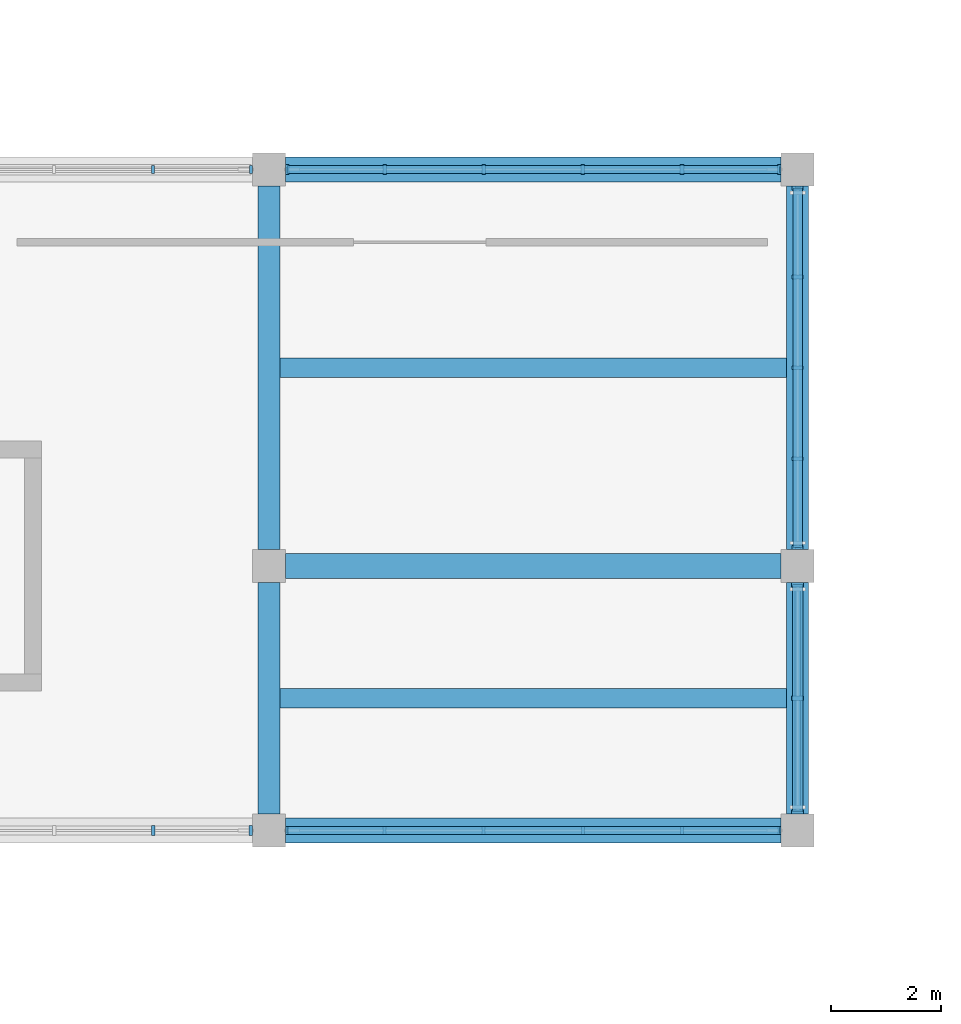
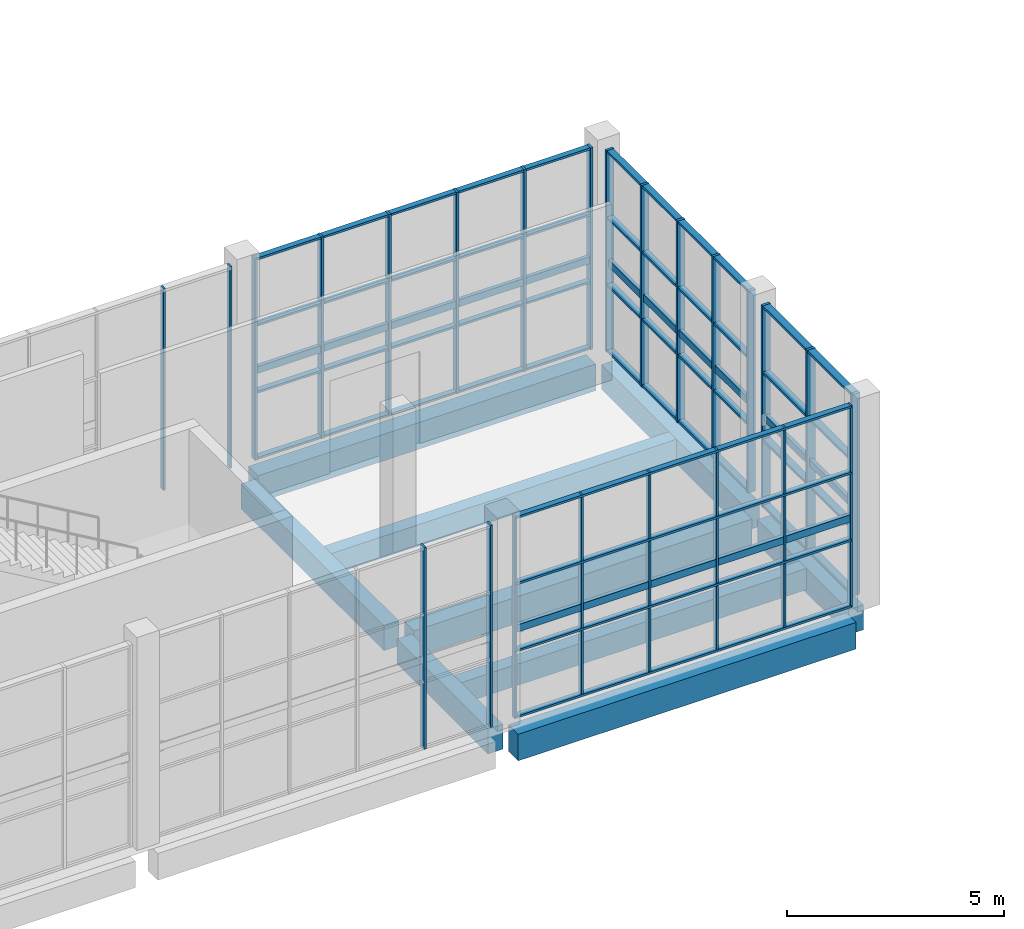
# One storey, part 15 of 84: 44 members, 9 beams, 6 elements without a shape of their own.
"""IFC4 building model written with IfcOpenShell, lengths in metres."""

from ifc_helpers import new_model, si_unit, direction, frame, origin, origin_2d, place, context, subcontext, project, spatial, rectangle, hollow_rectangle, extrude, material, material_profile, profile_set, type_object, element, aggregate, save


model = new_model("IFC4")

# Units and contexts
model_context = context("Model", 3, precision=1e-05, world=origin(), true_north=direction((0.0, 1.0)))
body_context = subcontext(model_context, "Body", "Model", "MODEL_VIEW")
ifc_project = project(units=[si_unit("LENGTHUNIT", "METRE"), si_unit("AREAUNIT", "SQUARE_METRE"), si_unit("VOLUMEUNIT", "CUBIC_METRE"), si_unit("PLANEANGLEUNIT", "RADIAN"), si_unit("MASSUNIT", "GRAM", prefix="KILO")], contexts=[model_context])

# Site, building, storey
site_placement = place(None, origin())
site = spatial("IfcSite", under=ifc_project, at=site_placement, CompositionType="ELEMENT")
building_placement = place(site_placement, origin())
building = spatial("IfcBuilding", under=site, at=building_placement, Name="Shalvenor Court Art Gallery", CompositionType="ELEMENT")
storey_placement = place(building_placement, origin())
storey = spatial("IfcBuildingStorey", under=building, at=storey_placement, Name="L00", CompositionType="ELEMENT", Elevation=0.0)

# Beams
ifc_material_1 = material(Name="Concrete C40/50", Category="concrete")
ifc_material_profile_1 = material_profile(ifc_material_1, rectangle(XDim=0.449951171875, YDim=0.75, at=origin_2d()), Name="RC 450x750")
ifc_profile_set_1 = profile_set([ifc_material_profile_1], Name="Concrete C40/50")
beam_type_1 = type_object("IfcBeamType", Name="B-04", PredefinedType="BEAM", material=ifc_profile_set_1)
for number, where, z_axis, x_axis, name in (
    (1, (67.5, 45.60009765625, -0.715087890625), (1.0, 0.0, 0.0), (0.0, 1.0, 0.0), "L00 Girder BM-L00-B-04-0191"),
    (2, (67.5, 50.39990234375, -0.715087890625), (1.0, 0.0, 0.0), (0.0, 1.0, 0.0), "L00 Girder BM-L00-B-04-0197"),
    (3, (67.5, 57.60009765625, -0.715087890625), (1.0, 0.0, 0.0), (0.0, 1.0, 0.0), "L00 Girder BM-L00-B-04-0205"),
):
    element("IfcBeam", number, at=place(storey_placement, frame(where, z_axis=z_axis, x_axis=x_axis)), inside=storey, type_object=beam_type_1, Name=name, PredefinedType="BEAM", context=body_context, shape_type="SweptSolid", body=[
        extrude(rectangle(XDim=0.449951171875, YDim=0.75, at=origin_2d()), origin(), (0.0, 0.0, 1.0), 9.0),
    ])
ifc_material_2 = material(Name="Concrete C40/50", Category="concrete")
ifc_material_profile_2 = material_profile(ifc_material_2, rectangle(XDim=0.39990234375, YDim=0.699951171875, at=origin_2d()), Name="RC 400x700")
ifc_profile_set_2 = profile_set([ifc_material_profile_2], Name="Concrete C40/50")
beam_type_2 = type_object("IfcBeamType", Name="B-05", PredefinedType="BEAM", material=ifc_profile_set_2)
beam_1_placement = place(storey_placement, frame((67.199951171875, 45.89990234375, -0.68994140625), z_axis=(0.0, 1.0, 0.0), x_axis=(-1.0, 0.0, 0.0)))
element("IfcBeam", 4, at=beam_1_placement, inside=storey, type_object=beam_type_2, Name="L00 Girder BM-L00-B-05-0054", PredefinedType="BEAM", context=body_context, shape_type="SweptSolid", body=[
    extrude(rectangle(XDim=0.39990234375, YDim=0.699951171875, at=origin_2d()), origin(), (0.0, 0.0, 1.0), 4.2001953125),
])
beam_2_placement = place(storey_placement, frame((67.199951171875, 50.699951171875, -0.68994140625), z_axis=(0.0, 1.0, 0.0), x_axis=(-1.0, 0.0, 0.0)))
element("IfcBeam", 5, at=beam_2_placement, inside=storey, type_object=beam_type_2, Name="L00 Girder BM-L00-B-05-0055", PredefinedType="BEAM", context=body_context, shape_type="SweptSolid", body=[
    extrude(rectangle(XDim=0.39990234375, YDim=0.699951171875, at=origin_2d()), origin(), (0.0, 0.0, 1.0), 6.60009765625),
])
beam_3_placement = place(storey_placement, frame((76.800048828125, 45.89990234375, -0.68994140625), z_axis=(0.0, 1.0, 0.0), x_axis=(-1.0, 0.0, 0.0)))
element("IfcBeam", 6, at=beam_3_placement, inside=storey, type_object=beam_type_2, Name="L00 Girder BM-L00-B-05-0058", PredefinedType="BEAM", context=body_context, shape_type="SweptSolid", body=[
    extrude(rectangle(XDim=0.39990234375, YDim=0.699951171875, at=origin_2d()), origin(), (0.0, 0.0, 1.0), 4.2001953125),
])
beam_4_placement = place(storey_placement, frame((76.800048828125, 50.699951171875, -0.68994140625), z_axis=(0.0, 1.0, 0.0), x_axis=(-1.0, 0.0, 0.0)))
element("IfcBeam", 7, at=beam_4_placement, inside=storey, type_object=beam_type_2, Name="L00 Girder BM-L00-B-05-0059", PredefinedType="BEAM", context=body_context, shape_type="SweptSolid", body=[
    extrude(rectangle(XDim=0.39990234375, YDim=0.699951171875, at=origin_2d()), origin(), (0.0, 0.0, 1.0), 6.60009765625),
])

# Curtain wall, members
ifc_material_3 = material(Name="Anodised aluminium and low-iron glass curtain wall", Category="aluminium")
curtain_wall_type_1 = type_object("IfcCurtainWallType", Name="CW-5x3-90-57-116", PredefinedType="USERDEFINED", material=ifc_material_3)
curtain_wall_1_placement = place(storey_placement, origin())
curtain_wall_1 = element("IfcCurtainWall", 8, at=curtain_wall_1_placement, inside=storey, type_object=curtain_wall_type_1, Name="L00 V6 Curtain Wall CW-L00-192", ObjectType="CURTAIN WALL", PredefinedType="USERDEFINED")
ifc_material_4 = material(Name="Anodised aluminium mullion", Category="aluminium")
ifc_material_profile_3 = material_profile(ifc_material_4, rectangle(XDim=0.06494140625, YDim=0.179931640625, at=origin_2d()), Name="CWM-01")
ifc_profile_set_3 = profile_set([ifc_material_profile_3], Name="Anodised aluminium mullion")
member_type_1 = type_object("IfcMemberType", Name="CWM-01", PredefinedType="MULLION", material=ifc_profile_set_3)
member_1_placement = place(storey_placement, frame((67.532470703125, 57.60009765625, 0.0), z_axis=(0.0, 0.0, 1.0), x_axis=(1.0, 0.0, 0.0)))
member_1 = element("IfcMember", 9, at=member_1_placement, type_object=member_type_1, Name="CW-5x3-90-57-116 mullion 1", PredefinedType="MULLION", context=body_context, shape_type="SweptSolid", body=[
    extrude(rectangle(XDim=0.06494140625, YDim=0.179931640625, at=origin_2d()), origin(), (0.0, 0.0, 1.0), 5.679931640625),
])
member_2_placement = place(storey_placement, frame((69.300048828125, 57.60009765625, 0.0), z_axis=(0.0, 0.0, 1.0), x_axis=(1.0, 0.0, 0.0)))
member_2 = element("IfcMember", 10, at=member_2_placement, type_object=member_type_1, Name="CW-5x3-90-57-116 mullion 2", PredefinedType="MULLION", context=body_context, shape_type="SweptSolid", body=[
    extrude(rectangle(XDim=0.06494140625, YDim=0.179931640625, at=origin_2d()), origin(), (0.0, 0.0, 1.0), 5.679931640625),
])
member_3_placement = place(storey_placement, frame((71.10009765625, 57.60009765625, 0.0), z_axis=(0.0, 0.0, 1.0), x_axis=(1.0, 0.0, 0.0)))
member_3 = element("IfcMember", 11, at=member_3_placement, type_object=member_type_1, Name="CW-5x3-90-57-116 mullion 3", PredefinedType="MULLION", context=body_context, shape_type="SweptSolid", body=[
    extrude(rectangle(XDim=0.06494140625, YDim=0.179931640625, at=origin_2d()), origin(), (0.0, 0.0, 1.0), 5.679931640625),
])
member_4_placement = place(storey_placement, frame((72.89990234375, 57.60009765625, 0.0), z_axis=(0.0, 0.0, 1.0), x_axis=(1.0, 0.0, 0.0)))
member_4 = element("IfcMember", 12, at=member_4_placement, type_object=member_type_1, Name="CW-5x3-90-57-116 mullion 4", PredefinedType="MULLION", context=body_context, shape_type="SweptSolid", body=[
    extrude(rectangle(XDim=0.06494140625, YDim=0.179931640625, at=origin_2d()), origin(), (0.0, 0.0, 1.0), 5.679931640625),
])
member_5_placement = place(storey_placement, frame((74.699951171875, 57.60009765625, 0.0), z_axis=(0.0, 0.0, 1.0), x_axis=(1.0, 0.0, 0.0)))
member_5 = element("IfcMember", 13, at=member_5_placement, type_object=member_type_1, Name="CW-5x3-90-57-116 mullion 5", PredefinedType="MULLION", context=body_context, shape_type="SweptSolid", body=[
    extrude(rectangle(XDim=0.06494140625, YDim=0.179931640625, at=origin_2d()), origin(), (0.0, 0.0, 1.0), 5.679931640625),
])
member_6_placement = place(storey_placement, frame((76.467529296875, 57.60009765625, 0.0), z_axis=(0.0, 0.0, 1.0), x_axis=(1.0, 0.0, 0.0)))
member_6 = element("IfcMember", 14, at=member_6_placement, type_object=member_type_1, Name="CW-5x3-90-57-116 mullion 6", PredefinedType="MULLION", context=body_context, shape_type="SweptSolid", body=[
    extrude(rectangle(XDim=0.06494140625, YDim=0.179931640625, at=origin_2d()), origin(), (0.0, 0.0, 1.0), 5.679931640625),
])

ifc_material_5 = material(Name="Anodised aluminium and low-iron glass curtain wall", Category="aluminium")
curtain_wall_type_2 = type_object("IfcCurtainWallType", Name="CW-5x3-90-57-126", PredefinedType="USERDEFINED", material=ifc_material_5)
curtain_wall_2_placement = place(storey_placement, origin())
curtain_wall_2 = element("IfcCurtainWall", 15, at=curtain_wall_2_placement, inside=storey, type_object=curtain_wall_type_2, Name="L00 V6 Curtain Wall CW-L00-196", ObjectType="CURTAIN WALL", PredefinedType="USERDEFINED")
member_7_placement = place(storey_placement, frame((66.867431640625, 45.60009765625, 0.0), z_axis=(0.0, 0.0, 1.0), x_axis=(-1.0, 0.0, 0.0)))
member_7 = element("IfcMember", 16, at=member_7_placement, type_object=member_type_1, Name="CW-5x3-90-57-126 mullion 1", PredefinedType="MULLION", context=body_context, shape_type="SweptSolid", body=[
    extrude(rectangle(XDim=0.06494140625, YDim=0.179931640625, at=origin_2d()), origin(), (0.0, 0.0, 1.0), 5.679931640625),
])
member_8_placement = place(storey_placement, frame((65.10009765625, 45.60009765625, 0.0), z_axis=(0.0, 0.0, 1.0), x_axis=(-1.0, 0.0, 0.0)))
member_8 = element("IfcMember", 17, at=member_8_placement, type_object=member_type_1, Name="CW-5x3-90-57-126 mullion 2", PredefinedType="MULLION", context=body_context, shape_type="SweptSolid", body=[
    extrude(rectangle(XDim=0.06494140625, YDim=0.179931640625, at=origin_2d()), origin(), (0.0, 0.0, 1.0), 5.679931640625),
])
aggregate(curtain_wall_2, [member_7, member_8])

ifc_material_6 = material(Name="Anodised aluminium and low-iron glass curtain wall", Category="aluminium")
curtain_wall_type_3 = type_object("IfcCurtainWallType", Name="CW-4x3-66-57-226", PredefinedType="USERDEFINED", material=ifc_material_6)
curtain_wall_3_placement = place(storey_placement, origin())
curtain_wall_3 = element("IfcCurtainWall", 18, at=curtain_wall_3_placement, inside=storey, type_object=curtain_wall_type_3, Name="L00 V6 Curtain Wall CW-L00-193", ObjectType="CURTAIN WALL", PredefinedType="USERDEFINED")
ifc_material_7 = material(Name="Anodised aluminium mullion", Category="aluminium")
ifc_material_profile_4 = material_profile(ifc_material_7, rectangle(XDim=0.070068359375, YDim=0.199951171875, at=origin_2d()), Name="CWM-02")
ifc_profile_set_4 = profile_set([ifc_material_profile_4], Name="Anodised aluminium mullion")
member_type_2 = type_object("IfcMemberType", Name="CWM-02", PredefinedType="MULLION", material=ifc_profile_set_4)
member_9_placement = place(storey_placement, frame((76.800048828125, 57.264892578125, 0.0), z_axis=(0.0, 0.0, 1.0), x_axis=(0.0, -1.0, 0.0)))
member_9 = element("IfcMember", 19, at=member_9_placement, type_object=member_type_2, Name="CW-4x3-66-57-226 mullion 1", PredefinedType="MULLION", context=body_context, shape_type="SweptSolid", body=[
    extrude(rectangle(XDim=0.070068359375, YDim=0.199951171875, at=origin_2d()), origin(), (0.0, 0.0, 1.0), 5.679931640625),
])
member_10_placement = place(storey_placement, frame((76.800048828125, 55.64990234375, 0.0), z_axis=(0.0, 0.0, 1.0), x_axis=(0.0, -1.0, 0.0)))
member_10 = element("IfcMember", 20, at=member_10_placement, type_object=member_type_2, Name="CW-4x3-66-57-226 mullion 2", PredefinedType="MULLION", context=body_context, shape_type="SweptSolid", body=[
    extrude(rectangle(XDim=0.070068359375, YDim=0.199951171875, at=origin_2d()), origin(), (0.0, 0.0, 1.0), 5.679931640625),
])
member_11_placement = place(storey_placement, frame((76.800048828125, 54.0, 0.0), z_axis=(0.0, 0.0, 1.0), x_axis=(0.0, -1.0, 0.0)))
member_11 = element("IfcMember", 21, at=member_11_placement, type_object=member_type_2, Name="CW-4x3-66-57-226 mullion 3", PredefinedType="MULLION", context=body_context, shape_type="SweptSolid", body=[
    extrude(rectangle(XDim=0.070068359375, YDim=0.199951171875, at=origin_2d()), origin(), (0.0, 0.0, 1.0), 5.679931640625),
])
member_12_placement = place(storey_placement, frame((76.800048828125, 52.35009765625, 0.0), z_axis=(0.0, 0.0, 1.0), x_axis=(0.0, -1.0, 0.0)))
member_12 = element("IfcMember", 22, at=member_12_placement, type_object=member_type_2, Name="CW-4x3-66-57-226 mullion 4", PredefinedType="MULLION", context=body_context, shape_type="SweptSolid", body=[
    extrude(rectangle(XDim=0.070068359375, YDim=0.199951171875, at=origin_2d()), origin(), (0.0, 0.0, 1.0), 5.679931640625),
])
member_13_placement = place(storey_placement, frame((76.800048828125, 50.735107421875, 0.0), z_axis=(0.0, 0.0, 1.0), x_axis=(0.0, -1.0, 0.0)))
member_13 = element("IfcMember", 23, at=member_13_placement, type_object=member_type_2, Name="CW-4x3-66-57-226 mullion 5", PredefinedType="MULLION", context=body_context, shape_type="SweptSolid", body=[
    extrude(rectangle(XDim=0.070068359375, YDim=0.199951171875, at=origin_2d()), origin(), (0.0, 0.0, 1.0), 5.679931640625),
])

ifc_material_8 = material(Name="Anodised aluminium and low-iron glass curtain wall", Category="aluminium")
curtain_wall_type_4 = type_object("IfcCurtainWallType", Name="CW-2x3-42-57-446", PredefinedType="USERDEFINED", material=ifc_material_8)
curtain_wall_4_placement = place(storey_placement, origin())
curtain_wall_4 = element("IfcCurtainWall", 24, at=curtain_wall_4_placement, inside=storey, type_object=curtain_wall_type_4, Name="L00 V6 Curtain Wall CW-L00-194", ObjectType="CURTAIN WALL", PredefinedType="USERDEFINED")
ifc_material_9 = material(Name="Anodised aluminium mullion", Category="aluminium")
ifc_material_profile_5 = material_profile(ifc_material_9, rectangle(XDim=0.074951171875, YDim=0.219970703125, at=origin_2d()), Name="CWM-04")
ifc_profile_set_5 = profile_set([ifc_material_profile_5], Name="Anodised aluminium mullion")
member_type_3 = type_object("IfcMemberType", Name="CWM-04", PredefinedType="MULLION", material=ifc_profile_set_5)
member_14_placement = place(storey_placement, frame((76.800048828125, 50.0625, 0.0), z_axis=(0.0, 0.0, 1.0), x_axis=(0.0, -1.0, 0.0)))
member_14 = element("IfcMember", 25, at=member_14_placement, type_object=member_type_3, Name="CW-2x3-42-57-446 mullion 1", PredefinedType="MULLION", context=body_context, shape_type="SweptSolid", body=[
    extrude(rectangle(XDim=0.074951171875, YDim=0.219970703125, at=origin_2d()), origin(), (0.0, 0.0, 1.0), 5.679931640625),
])
member_15_placement = place(storey_placement, frame((76.800048828125, 48.0, 0.0), z_axis=(0.0, 0.0, 1.0), x_axis=(0.0, -1.0, 0.0)))
member_15 = element("IfcMember", 26, at=member_15_placement, type_object=member_type_3, Name="CW-2x3-42-57-446 mullion 2", PredefinedType="MULLION", context=body_context, shape_type="SweptSolid", body=[
    extrude(rectangle(XDim=0.074951171875, YDim=0.219970703125, at=origin_2d()), origin(), (0.0, 0.0, 1.0), 5.679931640625),
])
member_16_placement = place(storey_placement, frame((76.800048828125, 45.9375, 0.0), z_axis=(0.0, 0.0, 1.0), x_axis=(0.0, -1.0, 0.0)))
member_16 = element("IfcMember", 27, at=member_16_placement, type_object=member_type_3, Name="CW-2x3-42-57-446 mullion 3", PredefinedType="MULLION", context=body_context, shape_type="SweptSolid", body=[
    extrude(rectangle(XDim=0.074951171875, YDim=0.219970703125, at=origin_2d()), origin(), (0.0, 0.0, 1.0), 5.679931640625),
])

ifc_material_10 = material(Name="Anodised aluminium and low-iron glass curtain wall", Category="aluminium")
curtain_wall_type_5 = type_object("IfcCurtainWallType", Name="CW-5x3-90-57-646", PredefinedType="USERDEFINED", material=ifc_material_10)
curtain_wall_5_placement = place(storey_placement, origin())
curtain_wall_5 = element("IfcCurtainWall", 28, at=curtain_wall_5_placement, inside=storey, type_object=curtain_wall_type_5, Name="L00 V6 Curtain Wall CW-L00-191", ObjectType="CURTAIN WALL", PredefinedType="USERDEFINED")
ifc_material_11 = material(Name="Anodised aluminium mullion", Category="aluminium")
ifc_material_profile_6 = material_profile(ifc_material_11, rectangle(XDim=0.054931640625, YDim=0.139892578125, at=origin_2d()), Name="CWM-06")
ifc_profile_set_6 = profile_set([ifc_material_profile_6], Name="Anodised aluminium mullion")
member_type_4 = type_object("IfcMemberType", Name="CWM-06", PredefinedType="MULLION", material=ifc_profile_set_6)
member_17_placement = place(storey_placement, frame((65.10009765625, 57.60009765625, 0.0), z_axis=(0.0, 0.0, 1.0), x_axis=(1.0, 0.0, 0.0)))
member_17 = element("IfcMember", 29, at=member_17_placement, type_object=member_type_4, Name="CW-5x3-90-57-646 mullion 5", PredefinedType="MULLION", context=body_context, shape_type="SweptSolid", body=[
    extrude(rectangle(XDim=0.054931640625, YDim=0.139892578125, at=origin_2d()), origin(), (0.0, 0.0, 1.0), 5.679931640625),
])
member_18_placement = place(storey_placement, frame((66.87255859375, 57.60009765625, 0.0), z_axis=(0.0, 0.0, 1.0), x_axis=(1.0, 0.0, 0.0)))
member_18 = element("IfcMember", 30, at=member_18_placement, type_object=member_type_4, Name="CW-5x3-90-57-646 mullion 6", PredefinedType="MULLION", context=body_context, shape_type="SweptSolid", body=[
    extrude(rectangle(XDim=0.054931640625, YDim=0.139892578125, at=origin_2d()), origin(), (0.0, 0.0, 1.0), 5.679931640625),
])
aggregate(curtain_wall_5, [member_17, member_18])

ifc_material_12 = material(Name="Anodised aluminium and low-iron glass curtain wall", Category="aluminium")
curtain_wall_type_6 = type_object("IfcCurtainWallType", Name="CW-5x3-90-57-616", PredefinedType="USERDEFINED", material=ifc_material_12)
curtain_wall_6_placement = place(storey_placement, origin())
curtain_wall_6 = element("IfcCurtainWall", 31, at=curtain_wall_6_placement, inside=storey, type_object=curtain_wall_type_6, Name="L00 V6 Curtain Wall CW-L00-195", ObjectType="CURTAIN WALL", PredefinedType="USERDEFINED")
member_19_placement = place(storey_placement, frame((76.472412109375, 45.60009765625, 0.0), z_axis=(0.0, 0.0, 1.0), x_axis=(-1.0, 0.0, 0.0)))
member_19 = element("IfcMember", 32, at=member_19_placement, type_object=member_type_4, Name="CW-5x3-90-57-616 mullion 1", PredefinedType="MULLION", context=body_context, shape_type="SweptSolid", body=[
    extrude(rectangle(XDim=0.054931640625, YDim=0.139892578125, at=origin_2d()), origin(), (0.0, 0.0, 1.0), 5.679931640625),
])
member_20_placement = place(storey_placement, frame((74.699951171875, 45.60009765625, 0.0), z_axis=(0.0, 0.0, 1.0), x_axis=(-1.0, 0.0, 0.0)))
member_20 = element("IfcMember", 33, at=member_20_placement, type_object=member_type_4, Name="CW-5x3-90-57-616 mullion 2", PredefinedType="MULLION", context=body_context, shape_type="SweptSolid", body=[
    extrude(rectangle(XDim=0.054931640625, YDim=0.139892578125, at=origin_2d()), origin(), (0.0, 0.0, 1.0), 5.679931640625),
])
member_21_placement = place(storey_placement, frame((72.89990234375, 45.60009765625, 0.0), z_axis=(0.0, 0.0, 1.0), x_axis=(-1.0, 0.0, 0.0)))
member_21 = element("IfcMember", 34, at=member_21_placement, type_object=member_type_4, Name="CW-5x3-90-57-616 mullion 3", PredefinedType="MULLION", context=body_context, shape_type="SweptSolid", body=[
    extrude(rectangle(XDim=0.054931640625, YDim=0.139892578125, at=origin_2d()), origin(), (0.0, 0.0, 1.0), 5.679931640625),
])
member_22_placement = place(storey_placement, frame((71.10009765625, 45.60009765625, 0.0), z_axis=(0.0, 0.0, 1.0), x_axis=(-1.0, 0.0, 0.0)))
member_22 = element("IfcMember", 35, at=member_22_placement, type_object=member_type_4, Name="CW-5x3-90-57-616 mullion 4", PredefinedType="MULLION", context=body_context, shape_type="SweptSolid", body=[
    extrude(rectangle(XDim=0.054931640625, YDim=0.139892578125, at=origin_2d()), origin(), (0.0, 0.0, 1.0), 5.679931640625),
])
member_23_placement = place(storey_placement, frame((69.300048828125, 45.60009765625, 0.0), z_axis=(0.0, 0.0, 1.0), x_axis=(-1.0, 0.0, 0.0)))
member_23 = element("IfcMember", 36, at=member_23_placement, type_object=member_type_4, Name="CW-5x3-90-57-616 mullion 5", PredefinedType="MULLION", context=body_context, shape_type="SweptSolid", body=[
    extrude(rectangle(XDim=0.054931640625, YDim=0.139892578125, at=origin_2d()), origin(), (0.0, 0.0, 1.0), 5.679931640625),
])
member_24_placement = place(storey_placement, frame((67.527587890625, 45.60009765625, 0.0), z_axis=(0.0, 0.0, 1.0), x_axis=(-1.0, 0.0, 0.0)))
member_24 = element("IfcMember", 37, at=member_24_placement, type_object=member_type_4, Name="CW-5x3-90-57-616 mullion 6", PredefinedType="MULLION", context=body_context, shape_type="SweptSolid", body=[
    extrude(rectangle(XDim=0.054931640625, YDim=0.139892578125, at=origin_2d()), origin(), (0.0, 0.0, 1.0), 5.679931640625),
])

# Member
ifc_material_13 = material(Name="Anodised aluminium transom", Category="aluminium")
ifc_material_profile_7 = material_profile(ifc_material_13, rectangle(XDim=0.14990234375, YDim=0.06005859375, at=origin_2d()), Name="CWT-01")
ifc_profile_set_7 = profile_set([ifc_material_profile_7], Name="Anodised aluminium transom")
member_type_5 = type_object("IfcMemberType", Name="CWT-01", PredefinedType="USERDEFINED", material=ifc_profile_set_7)
member_25_placement = place(storey_placement, frame((67.532470703125, 57.60009765625, 0.030029296875), z_axis=(1.0, 0.0, 0.0), x_axis=(0.0, 1.0, 0.0)))
member_25 = element("IfcMember", 38, at=member_25_placement, type_object=member_type_5, Name="CW-5x3-90-57-116 transom 1", ObjectType="TRANSOM", PredefinedType="USERDEFINED", context=body_context, shape_type="SweptSolid", body=[
    extrude(rectangle(XDim=0.14990234375, YDim=0.06005859375, at=origin_2d()), origin(), (0.0, 0.0, 1.0), 8.93505859375),
])

member_26_placement = place(storey_placement, frame((67.532470703125, 57.60009765625, 1.893310546875), z_axis=(1.0, 0.0, 0.0), x_axis=(0.0, 1.0, 0.0)))
member_26 = element("IfcMember", 39, at=member_26_placement, type_object=member_type_5, Name="CW-5x3-90-57-116 transom 2", ObjectType="TRANSOM", PredefinedType="USERDEFINED", context=body_context, shape_type="SweptSolid", body=[
    extrude(rectangle(XDim=0.14990234375, YDim=0.06005859375, at=origin_2d()), origin(), (0.0, 0.0, 1.0), 8.93505859375),
])

member_27_placement = place(storey_placement, frame((67.532470703125, 57.60009765625, 3.78662109375), z_axis=(1.0, 0.0, 0.0), x_axis=(0.0, 1.0, 0.0)))
member_27 = element("IfcMember", 40, at=member_27_placement, type_object=member_type_5, Name="CW-5x3-90-57-116 transom 3", ObjectType="TRANSOM", PredefinedType="USERDEFINED", context=body_context, shape_type="SweptSolid", body=[
    extrude(rectangle(XDim=0.14990234375, YDim=0.06005859375, at=origin_2d()), origin(), (0.0, 0.0, 1.0), 8.93505859375),
])

member_28_placement = place(storey_placement, frame((67.532470703125, 57.60009765625, 5.64990234375), z_axis=(1.0, 0.0, 0.0), x_axis=(0.0, 1.0, 0.0)))
member_28 = element("IfcMember", 41, at=member_28_placement, type_object=member_type_5, Name="CW-5x3-90-57-116 transom 4", ObjectType="TRANSOM", PredefinedType="USERDEFINED", context=body_context, shape_type="SweptSolid", body=[
    extrude(rectangle(XDim=0.14990234375, YDim=0.06005859375, at=origin_2d()), origin(), (0.0, 0.0, 1.0), 8.93505859375),
])

aggregate(curtain_wall_1, [member_1, member_2, member_3, member_4, member_5, member_6, member_25, member_26, member_27, member_28])

member_29_placement = place(storey_placement, frame((76.472412109375, 45.60009765625, 0.030029296875), z_axis=(-1.0, 0.0, 0.0), x_axis=(0.0, -1.0, 0.0)))
member_29 = element("IfcMember", 42, at=member_29_placement, type_object=member_type_5, Name="CW-5x3-90-57-616 transom 1", ObjectType="TRANSOM", PredefinedType="USERDEFINED", context=body_context, shape_type="SweptSolid", body=[
    extrude(rectangle(XDim=0.14990234375, YDim=0.06005859375, at=origin_2d()), origin(), (0.0, 0.0, 1.0), 8.94482421875),
])

member_30_placement = place(storey_placement, frame((76.472412109375, 45.60009765625, 1.893310546875), z_axis=(-1.0, 0.0, 0.0), x_axis=(0.0, -1.0, 0.0)))
member_30 = element("IfcMember", 43, at=member_30_placement, type_object=member_type_5, Name="CW-5x3-90-57-616 transom 2", ObjectType="TRANSOM", PredefinedType="USERDEFINED", context=body_context, shape_type="SweptSolid", body=[
    extrude(rectangle(XDim=0.14990234375, YDim=0.06005859375, at=origin_2d()), origin(), (0.0, 0.0, 1.0), 8.94482421875),
])

member_31_placement = place(storey_placement, frame((76.472412109375, 45.60009765625, 3.78662109375), z_axis=(-1.0, 0.0, 0.0), x_axis=(0.0, -1.0, 0.0)))
member_31 = element("IfcMember", 44, at=member_31_placement, type_object=member_type_5, Name="CW-5x3-90-57-616 transom 3", ObjectType="TRANSOM", PredefinedType="USERDEFINED", context=body_context, shape_type="SweptSolid", body=[
    extrude(rectangle(XDim=0.14990234375, YDim=0.06005859375, at=origin_2d()), origin(), (0.0, 0.0, 1.0), 8.94482421875),
])

member_32_placement = place(storey_placement, frame((76.472412109375, 45.60009765625, 5.64990234375), z_axis=(-1.0, 0.0, 0.0), x_axis=(0.0, -1.0, 0.0)))
member_32 = element("IfcMember", 45, at=member_32_placement, type_object=member_type_5, Name="CW-5x3-90-57-616 transom 4", ObjectType="TRANSOM", PredefinedType="USERDEFINED", context=body_context, shape_type="SweptSolid", body=[
    extrude(rectangle(XDim=0.14990234375, YDim=0.06005859375, at=origin_2d()), origin(), (0.0, 0.0, 1.0), 8.94482421875),
])

aggregate(curtain_wall_6, [member_19, member_20, member_21, member_22, member_23, member_24, member_29, member_30, member_31, member_32])

ifc_material_14 = material(Name="Anodised aluminium transom", Category="aluminium")
ifc_material_profile_8 = material_profile(ifc_material_14, rectangle(XDim=0.169921875, YDim=0.06494140625, at=origin_2d()), Name="CWT-02")
ifc_profile_set_8 = profile_set([ifc_material_profile_8], Name="Anodised aluminium transom")
member_type_6 = type_object("IfcMemberType", Name="CWT-02", PredefinedType="USERDEFINED", material=ifc_profile_set_8)
member_33_placement = place(storey_placement, frame((76.800048828125, 57.264892578125, 0.032470703125), z_axis=(0.0, -1.0, 0.0), x_axis=(1.0, 0.0, 0.0)))
member_33 = element("IfcMember", 46, at=member_33_placement, type_object=member_type_6, Name="CW-4x3-66-57-226 transom 1", ObjectType="TRANSOM", PredefinedType="USERDEFINED", context=body_context, shape_type="SweptSolid", body=[
    extrude(rectangle(XDim=0.169921875, YDim=0.06494140625, at=origin_2d()), origin(), (0.0, 0.0, 1.0), 6.52978515625),
])

member_34_placement = place(storey_placement, frame((76.800048828125, 57.264892578125, 1.893310546875), z_axis=(0.0, -1.0, 0.0), x_axis=(1.0, 0.0, 0.0)))
member_34 = element("IfcMember", 47, at=member_34_placement, type_object=member_type_6, Name="CW-4x3-66-57-226 transom 2", ObjectType="TRANSOM", PredefinedType="USERDEFINED", context=body_context, shape_type="SweptSolid", body=[
    extrude(rectangle(XDim=0.169921875, YDim=0.06494140625, at=origin_2d()), origin(), (0.0, 0.0, 1.0), 6.52978515625),
])

member_35_placement = place(storey_placement, frame((76.800048828125, 57.264892578125, 3.78662109375), z_axis=(0.0, -1.0, 0.0), x_axis=(1.0, 0.0, 0.0)))
member_35 = element("IfcMember", 48, at=member_35_placement, type_object=member_type_6, Name="CW-4x3-66-57-226 transom 3", ObjectType="TRANSOM", PredefinedType="USERDEFINED", context=body_context, shape_type="SweptSolid", body=[
    extrude(rectangle(XDim=0.169921875, YDim=0.06494140625, at=origin_2d()), origin(), (0.0, 0.0, 1.0), 6.52978515625),
])

member_36_placement = place(storey_placement, frame((76.800048828125, 57.264892578125, 5.6474609375), z_axis=(0.0, -1.0, 0.0), x_axis=(1.0, 0.0, 0.0)))
member_36 = element("IfcMember", 49, at=member_36_placement, type_object=member_type_6, Name="CW-4x3-66-57-226 transom 4", ObjectType="TRANSOM", PredefinedType="USERDEFINED", context=body_context, shape_type="SweptSolid", body=[
    extrude(rectangle(XDim=0.169921875, YDim=0.06494140625, at=origin_2d()), origin(), (0.0, 0.0, 1.0), 6.52978515625),
])

aggregate(curtain_wall_3, [member_9, member_10, member_11, member_12, member_13, member_33, member_34, member_35, member_36])

ifc_material_15 = material(Name="Anodised aluminium transom", Category="aluminium")
ifc_material_profile_9 = material_profile(ifc_material_15, rectangle(XDim=0.18994140625, YDim=0.070068359375, at=origin_2d()), Name="CWT-04")
ifc_profile_set_9 = profile_set([ifc_material_profile_9], Name="Anodised aluminium transom")
member_type_7 = type_object("IfcMemberType", Name="CWT-04", PredefinedType="USERDEFINED", material=ifc_profile_set_9)
member_37_placement = place(storey_placement, frame((76.800048828125, 50.0625, 0.034912109375), z_axis=(0.0, -1.0, 0.0), x_axis=(1.0, 0.0, 0.0)))
member_37 = element("IfcMember", 50, at=member_37_placement, type_object=member_type_7, Name="CW-2x3-42-57-446 transom 1", ObjectType="TRANSOM", PredefinedType="USERDEFINED", context=body_context, shape_type="SweptSolid", body=[
    extrude(rectangle(XDim=0.18994140625, YDim=0.070068359375, at=origin_2d()), origin(), (0.0, 0.0, 1.0), 4.125),
])

member_38_placement = place(storey_placement, frame((76.800048828125, 50.0625, 1.893310546875), z_axis=(0.0, -1.0, 0.0), x_axis=(1.0, 0.0, 0.0)))
member_38 = element("IfcMember", 51, at=member_38_placement, type_object=member_type_7, Name="CW-2x3-42-57-446 transom 2", ObjectType="TRANSOM", PredefinedType="USERDEFINED", context=body_context, shape_type="SweptSolid", body=[
    extrude(rectangle(XDim=0.18994140625, YDim=0.070068359375, at=origin_2d()), origin(), (0.0, 0.0, 1.0), 4.125),
])

member_39_placement = place(storey_placement, frame((76.800048828125, 50.0625, 3.78662109375), z_axis=(0.0, -1.0, 0.0), x_axis=(1.0, 0.0, 0.0)))
member_39 = element("IfcMember", 52, at=member_39_placement, type_object=member_type_7, Name="CW-2x3-42-57-446 transom 3", ObjectType="TRANSOM", PredefinedType="USERDEFINED", context=body_context, shape_type="SweptSolid", body=[
    extrude(rectangle(XDim=0.18994140625, YDim=0.070068359375, at=origin_2d()), origin(), (0.0, 0.0, 1.0), 4.125),
])

member_40_placement = place(storey_placement, frame((76.800048828125, 50.0625, 5.64501953125), z_axis=(0.0, -1.0, 0.0), x_axis=(1.0, 0.0, 0.0)))
member_40 = element("IfcMember", 53, at=member_40_placement, type_object=member_type_7, Name="CW-2x3-42-57-446 transom 4", ObjectType="TRANSOM", PredefinedType="USERDEFINED", context=body_context, shape_type="SweptSolid", body=[
    extrude(rectangle(XDim=0.18994140625, YDim=0.070068359375, at=origin_2d()), origin(), (0.0, 0.0, 1.0), 4.125),
])

aggregate(curtain_wall_4, [member_14, member_15, member_16, member_37, member_38, member_39, member_40])

# Members
ifc_material_16 = material(Name="Steel S355", Category="steel")
ifc_material_profile_10 = material_profile(ifc_material_16, hollow_rectangle(XDim=0.10009765625, YDim=0.199951171875, WallThickness=0.008056640625, at=origin_2d()), Name="RHS 200x100x8.0")
ifc_profile_set_10 = profile_set([ifc_material_profile_10], Name="Steel S355")
member_type_8 = type_object("IfcMemberType", Name="FR-01", PredefinedType="MEMBER", material=ifc_profile_set_10)
member_41_placement = place(storey_placement, frame((67.5, 57.60009765625, 2.5), z_axis=(1.0, 0.0, 0.0), x_axis=(0.0, 1.0, 0.0)))
element("IfcMember", 54, at=member_41_placement, inside=storey, type_object=member_type_8, Name="L00 Cloister Canopy Rail 192", PredefinedType="MEMBER", context=body_context, shape_type="SweptSolid", body=[
    extrude(hollow_rectangle(XDim=0.10009765625, YDim=0.199951171875, WallThickness=0.008056640625, at=origin_2d()), origin(), (0.0, 0.0, 1.0), 9.0),
])
member_42_placement = place(storey_placement, frame((76.800048828125, 57.300048828125, 2.5), z_axis=(0.0, -1.0, 0.0), x_axis=(1.0, 0.0, 0.0)))
element("IfcMember", 55, at=member_42_placement, inside=storey, type_object=member_type_8, Name="L00 Cloister Canopy Rail 193", PredefinedType="MEMBER", context=body_context, shape_type="SweptSolid", body=[
    extrude(hollow_rectangle(XDim=0.10009765625, YDim=0.199951171875, WallThickness=0.008056640625, at=origin_2d()), origin(), (0.0, 0.0, 1.0), 6.60009765625),
])
member_43_placement = place(storey_placement, frame((76.800048828125, 50.10009765625, 2.5), z_axis=(0.0, -1.0, 0.0), x_axis=(1.0, 0.0, 0.0)))
element("IfcMember", 56, at=member_43_placement, inside=storey, type_object=member_type_8, Name="L00 Cloister Canopy Rail 194", PredefinedType="MEMBER", context=body_context, shape_type="SweptSolid", body=[
    extrude(hollow_rectangle(XDim=0.10009765625, YDim=0.199951171875, WallThickness=0.008056640625, at=origin_2d()), origin(), (0.0, 0.0, 1.0), 4.2001953125),
])
member_44_placement = place(storey_placement, frame((76.5, 45.60009765625, 2.5), z_axis=(-1.0, 0.0, 0.0), x_axis=(0.0, -1.0, 0.0)))
element("IfcMember", 57, at=member_44_placement, inside=storey, type_object=member_type_8, Name="L00 Cloister Canopy Rail 195", PredefinedType="MEMBER", context=body_context, shape_type="SweptSolid", body=[
    extrude(hollow_rectangle(XDim=0.10009765625, YDim=0.199951171875, WallThickness=0.008056640625, at=origin_2d()), origin(), (0.0, 0.0, 1.0), 9.0),
])

# Beams
ifc_material_17 = material(Name="Concrete C40/50", Category="concrete")
ifc_material_profile_11 = material_profile(ifc_material_17, rectangle(XDim=0.35009765625, YDim=0.60009765625, at=origin_2d()), Name="RC 350x600")
ifc_profile_set_11 = profile_set([ifc_material_profile_11], Name="Concrete C40/50")
beam_type_3 = type_object("IfcBeamType", Name="J-01", PredefinedType="JOIST", material=ifc_profile_set_11)
for number, where, z_axis, x_axis, name in (
    (58, (67.39990234375, 48.0, -0.639892578125), (1.0, 0.0, 0.0), (0.0, 1.0, 0.0), "L00 Secondary Beam JST-L00-J-01-0308"),
    (59, (67.39990234375, 54.0, -0.639892578125), (1.0, 0.0, 0.0), (0.0, 1.0, 0.0), "L00 Secondary Beam JST-L00-J-01-0309"),
):
    element("IfcBeam", number, at=place(storey_placement, frame(where, z_axis=z_axis, x_axis=x_axis)), inside=storey, type_object=beam_type_3, Name=name, PredefinedType="JOIST", context=body_context, shape_type="SweptSolid", body=[
        extrude(rectangle(XDim=0.35009765625, YDim=0.60009765625, at=origin_2d()), origin(), (0.0, 0.0, 1.0), 9.2001953125),
    ])

save(model, "model.ifc")
